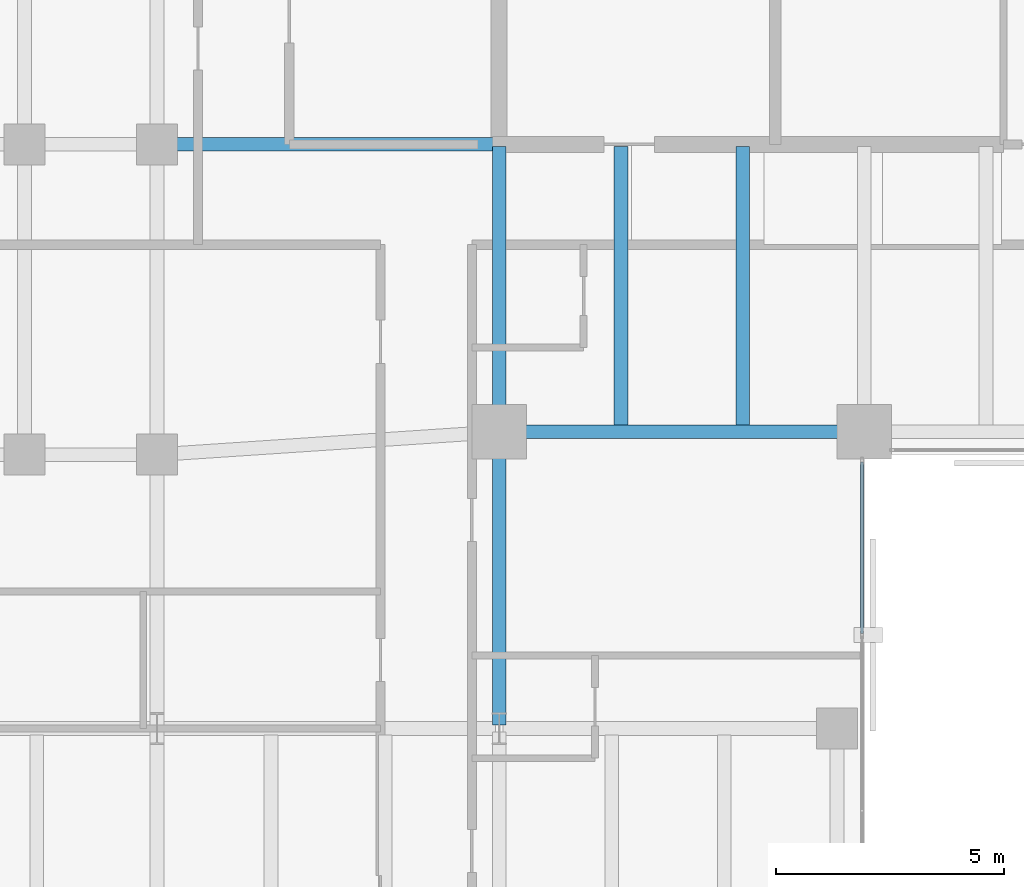
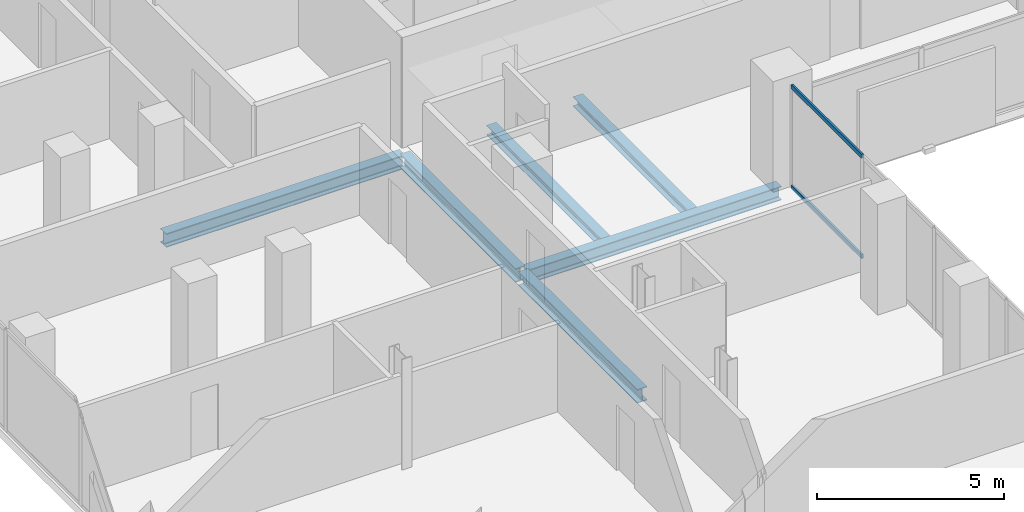
# One storey, part 12 of 33: 6 beams, 2 members, 1 element without a shape of its own.
"""IFC4 building model written with IfcOpenShell, lengths in metres."""

from ifc_helpers import new_model, si_unit, direction, frame, origin, origin_2d, place, context, subcontext, project, spatial, hollow_rectangle, i_section, extrude, material, layer, layer_set, material_profile, profile_set, type_object, element, aggregate, save


model = new_model("IFC4")

# Units and contexts
model_context = context("Model", 3, precision=1e-05, world=origin(), true_north=direction((0.0, 1.0)))
body_context = subcontext(model_context, "Body", "Model", "MODEL_VIEW")
ifc_project = project(units=[si_unit("LENGTHUNIT", "METRE"), si_unit("AREAUNIT", "SQUARE_METRE"), si_unit("VOLUMEUNIT", "CUBIC_METRE"), si_unit("PLANEANGLEUNIT", "RADIAN"), si_unit("MASSUNIT", "GRAM", prefix="KILO")], contexts=[model_context])

# Site, building, storey
site_placement = place(None, origin())
site = spatial("IfcSite", under=ifc_project, at=site_placement, CompositionType="ELEMENT")
building_placement = place(site_placement, origin())
building = spatial("IfcBuilding", under=site, at=building_placement, Name="Catumbela Crestline Tower", CompositionType="ELEMENT")
storey_placement = place(building_placement, frame((0.0, 0.0, 108.0)))
storey = spatial("IfcBuildingStorey", under=building, at=storey_placement, Name="L27", CompositionType="ELEMENT", Elevation=108.0)

# Beams
ifc_material_1 = material(Name="Structural steel S355J2", Category="steel")
ifc_material_profile_1 = material_profile(ifc_material_1, i_section(OverallWidth=0.3, OverallDepth=0.45, WebThickness=0.014, FlangeThickness=0.026, FilletRadius=0.027, at=origin_2d()), Name="HEB 450")
ifc_profile_set_1 = profile_set([ifc_material_profile_1], Name="Structural steel S355J2")
beam_type_1 = type_object("IfcBeamType", Name="BG-HEB450", PredefinedType="BEAM", material=ifc_profile_set_1)
beam_1_placement = place(storey_placement, frame((16.08, 24.5, -0.485), z_axis=(1.0, 0.0, 0.0), x_axis=(0.0, 1.0, 0.0)))
element("IfcBeam", 1, at=beam_1_placement, inside=storey, type_object=beam_type_1, Name="L27 Beam BM-L27-S04", PredefinedType="BEAM", context=body_context, shape_type="SweptSolid", body=[
    extrude(i_section(OverallWidth=0.3, OverallDepth=0.45, WebThickness=0.014, FlangeThickness=0.026, FilletRadius=0.027, at=origin_2d()), origin(), (0.0, 0.0, 1.0), 7.84),
])
beam_2_placement = place(storey_placement, frame((8.58, 30.8, -0.485), z_axis=(1.0, 0.0, 0.0), x_axis=(0.0, 1.0, 0.0)))
element("IfcBeam", 2, at=beam_2_placement, inside=storey, type_object=beam_type_1, Name="L27 Beam BM-L27-M09", PredefinedType="BEAM", context=body_context, shape_type="SweptSolid", body=[
    extrude(i_section(OverallWidth=0.3, OverallDepth=0.45, WebThickness=0.014, FlangeThickness=0.026, FilletRadius=0.027, at=origin_2d()), origin(), (0.0, 0.0, 1.0), 7.37),
])
beam_3_placement = place(storey_placement, frame((16.0, 24.58, -0.485), z_axis=(0.0, 1.0, 0.0), x_axis=(-1.0, 0.0, 0.0)))
element("IfcBeam", 3, at=beam_3_placement, inside=storey, type_object=beam_type_1, Name="L27 Beam BM-L27-SNS28", PredefinedType="BEAM", context=body_context, shape_type="SweptSolid", body=[
    extrude(i_section(OverallWidth=0.3, OverallDepth=0.45, WebThickness=0.014, FlangeThickness=0.026, FilletRadius=0.027, at=origin_2d()), origin(), (0.0, 0.0, 1.0), 6.17),
])
beam_4_placement = place(storey_placement, frame((16.0, 18.08, -0.485), z_axis=(0.0, 1.0, 0.0), x_axis=(-1.0, 0.0, 0.0)))
element("IfcBeam", 4, at=beam_4_placement, inside=storey, type_object=beam_type_1, Name="L27 Beam BM-L27-WNS60", PredefinedType="BEAM", context=body_context, shape_type="SweptSolid", body=[
    extrude(i_section(OverallWidth=0.3, OverallDepth=0.45, WebThickness=0.014, FlangeThickness=0.026, FilletRadius=0.027, at=origin_2d()), origin(), (0.0, 0.0, 1.0), 6.34),
])
ifc_material_profile_2 = material_profile(ifc_material_1, i_section(OverallWidth=0.3, OverallDepth=0.31, WebThickness=0.009, FlangeThickness=0.0155, FilletRadius=0.027, at=origin_2d()), Name="HEA 320")
ifc_profile_set_2 = profile_set([ifc_material_profile_2], Name="Structural steel S355J2")
beam_type_2 = type_object("IfcBeamType", Name="BJ-HEA320", PredefinedType="JOIST", material=ifc_profile_set_2)
for number, where, z_axis, x_axis, name in (
    (5, (18.667, 24.647, -0.415), (0.0, 1.0, 0.0), (-1.0, 0.0, 0.0), "L27 Joist JS-L27-SP37"),
    (6, (21.333, 24.647, -0.415), (0.0, 1.0, 0.0), (-1.0, 0.0, 0.0), "L27 Joist JS-L27-SP38"),
):
    element("IfcBeam", number, at=place(storey_placement, frame(where, z_axis=z_axis, x_axis=x_axis)), inside=storey, type_object=beam_type_2, Name=name, PredefinedType="JOIST", context=body_context, shape_type="SweptSolid", body=[
        extrude(i_section(OverallWidth=0.3, OverallDepth=0.31, WebThickness=0.009, FlangeThickness=0.0155, FilletRadius=0.027, at=origin_2d()), origin(), (0.0, 0.0, 1.0), 6.103),
    ])

# Curtain wall, members
ifc_material_2 = material(Name="Aluminium alloy AW-6060-T66", Category="aluminium")
ifc_layer = layer(ifc_material_2, 0.18, Name="Aluminium alloy AW-6060-T66")
ifc_layer_set = layer_set([ifc_layer], Name="Aluminium alloy AW-6060-T66")
curtain_wall_type = type_object("IfcCurtainWallType", Name="CWU-Z2", PredefinedType="USERDEFINED", material=ifc_layer_set)
curtain_wall_placement = place(storey_placement, origin())
curtain_wall = element("IfcCurtainWall", 7, at=curtain_wall_placement, inside=storey, type_object=curtain_wall_type, Name="L27 Unitised Curtain Wall CW-L27-E2S1", ObjectType="UNITISED", PredefinedType="USERDEFINED")
ifc_material_profile_3 = material_profile(ifc_material_2, hollow_rectangle(XDim=0.06, YDim=0.14, WallThickness=0.004, at=origin_2d()), Name="ALU 140x60x4")
ifc_profile_set_3 = profile_set([ifc_material_profile_3], Name="Aluminium alloy AW-6060-T66")
member_type = type_object("IfcMemberType", Name="TRN-140X60", PredefinedType="USERDEFINED", material=ifc_profile_set_3)
member_1_placement = place(storey_placement, frame((23.95, 20.0825, 0.03), z_axis=(0.0, 1.0, 0.0), x_axis=(-1.0, 0.0, 0.0)))
member_1 = element("IfcMember", 8, at=member_1_placement, type_object=member_type, Name="CWU-Z2 transom 4.1", ObjectType="TRANSOM", PredefinedType="USERDEFINED", context=body_context, shape_type="SweptSolid", body=[
    extrude(hollow_rectangle(XDim=0.06, YDim=0.14, WallThickness=0.004, at=origin_2d()), origin(), (0.0, 0.0, 1.0), 3.7525),
])
member_2_placement = place(storey_placement, frame((23.95, 20.0825, 3.3), z_axis=(0.0, 1.0, 0.0), x_axis=(-1.0, 0.0, 0.0)))
member_2 = element("IfcMember", 9, at=member_2_placement, type_object=member_type, Name="CWU-Z2 transom 4.2", ObjectType="TRANSOM", PredefinedType="USERDEFINED", context=body_context, shape_type="SweptSolid", body=[
    extrude(hollow_rectangle(XDim=0.06, YDim=0.14, WallThickness=0.004, at=origin_2d()), origin(), (0.0, 0.0, 1.0), 3.7525),
])
aggregate(curtain_wall, [member_1, member_2])

save(model, "model.ifc")
